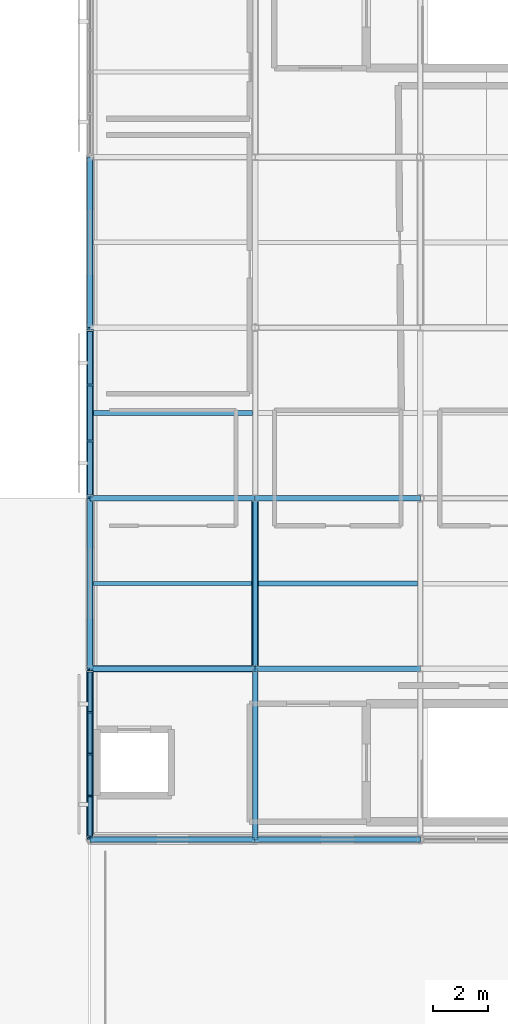
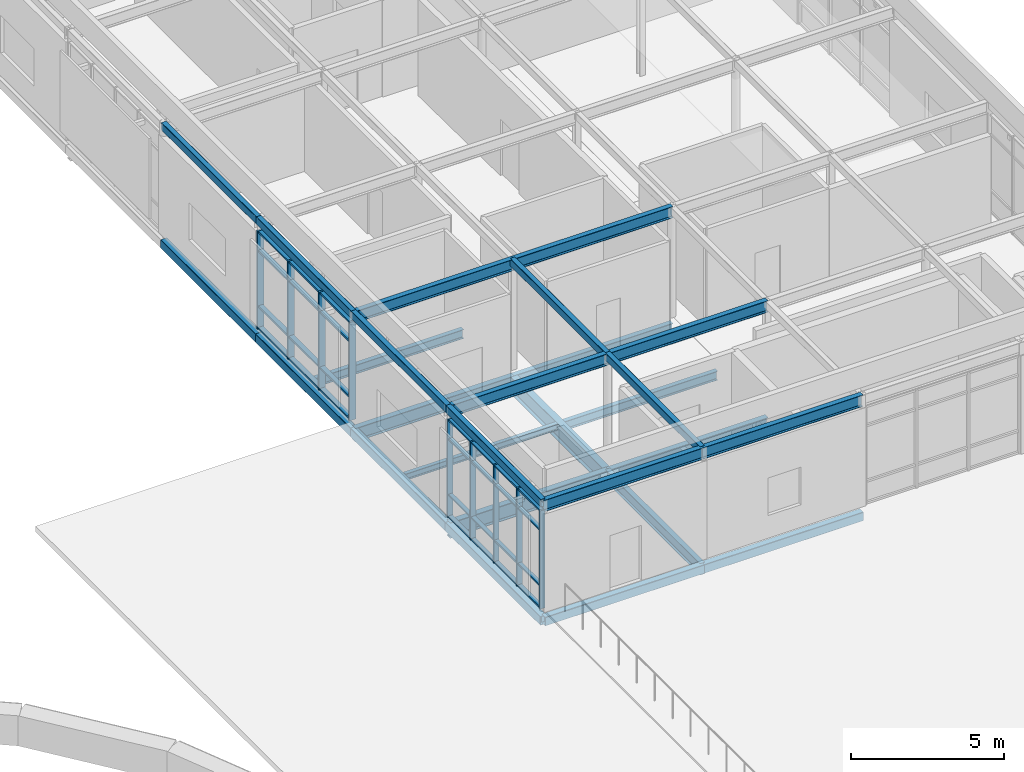
# One storey, part 6 of 16: 37 members, 27 beams, 2 elements without a shape of their own.
"""IFC4 building model written with IfcOpenShell, lengths in metres."""

from ifc_helpers import new_model, si_unit, direction, frame, origin, origin_2d, place, context, subcontext, project, spatial, rectangle, hollow_rectangle, i_section, extrude, material, layer, layer_set, material_profile, profile_set, type_object, element, aggregate, save


model = new_model("IFC4")

# Units and contexts
model_context = context("Model", 3, precision=1e-05, world=origin(), true_north=direction((0.0, 1.0)))
body_context = subcontext(model_context, "Body", "Model", "MODEL_VIEW")
ifc_project = project(units=[si_unit("LENGTHUNIT", "METRE"), si_unit("AREAUNIT", "SQUARE_METRE"), si_unit("VOLUMEUNIT", "CUBIC_METRE"), si_unit("PLANEANGLEUNIT", "RADIAN"), si_unit("MASSUNIT", "GRAM", prefix="KILO")], contexts=[model_context])

# Site, building, storey
site_placement = place(None, origin())
site = spatial("IfcSite", under=ifc_project, at=site_placement, CompositionType="ELEMENT")
building_placement = place(site_placement, origin())
building = spatial("IfcBuilding", under=site, at=building_placement, Name="Mirzam Square Science Centre", CompositionType="ELEMENT")
storey_placement = place(building_placement, frame((0.0, 0.0, 25.199951171875)))
storey = spatial("IfcBuildingStorey", under=building, at=storey_placement, Name="L05", CompositionType="ELEMENT", Elevation=25.199951171875)

# Beams
ifc_material_1 = material(Name="Steel S355", Category="steel")
ifc_material_profile_1 = material_profile(ifc_material_1, i_section(OverallWidth=0.19140625, OverallDepth=0.4599609375, WebThickness=0.010009765625, FlangeThickness=0.01611328125, FilletRadius=0.01025390625, at=origin_2d()), Name="457x191x82UB")
ifc_profile_set_1 = profile_set([ifc_material_profile_1], Name="Steel S355")
beam_type_1 = type_object("IfcBeamType", Name="BM-UB457", PredefinedType="BEAM", material=ifc_profile_set_1)
beam_1_placement = place(storey_placement, frame((120.0, 86.800048828125, -0.47998046875), z_axis=(1.0, 0.0, 0.0), x_axis=(0.0, 1.0, 0.0)))
element("IfcBeam", 1, at=beam_1_placement, inside=storey, type_object=beam_type_1, Name="L05 girder X21-15", PredefinedType="BEAM", context=body_context, shape_type="SweptSolid", body=[
    extrude(i_section(OverallWidth=0.19140625, OverallDepth=0.4599609375, WebThickness=0.010009765625, FlangeThickness=0.01611328125, FilletRadius=0.01025390625, at=origin_2d()), origin(), (0.0, 0.0, 1.0), 6.0),
])
beam_2_placement = place(storey_placement, frame((120.0, 74.39990234375, -0.47998046875), z_axis=(0.0, 1.0, 0.0), x_axis=(-1.0, 0.0, 0.0)))
element("IfcBeam", 2, at=beam_2_placement, inside=storey, type_object=beam_type_1, Name="L05 girder Y21-13", PredefinedType="BEAM", context=body_context, shape_type="SweptSolid", body=[
    extrude(i_section(OverallWidth=0.19140625, OverallDepth=0.4599609375, WebThickness=0.010009765625, FlangeThickness=0.01611328125, FilletRadius=0.01025390625, at=origin_2d()), origin(), (0.0, 0.0, 1.0), 6.2001953125),
])
for number, where, z_axis, x_axis, name in (
    (3, (114.0, 74.39990234375, 4.179931640625), (1.0, 0.0, 0.0), (0.0, 1.0, 0.0), "Observatory roof beam 20-13"),
    (4, (120.0, 74.39990234375, 4.179931640625), (1.0, 0.0, 0.0), (0.0, 1.0, 0.0), "Observatory roof beam 21-13"),
    (5, (114.0, 80.60009765625, 4.179931640625), (1.0, 0.0, 0.0), (0.0, 1.0, 0.0), "Observatory roof beam 20-14"),
    (6, (120.0, 80.60009765625, 4.179931640625), (1.0, 0.0, 0.0), (0.0, 1.0, 0.0), "Observatory roof beam 21-14"),
    (7, (114.0, 86.800048828125, 4.179931640625), (1.0, 0.0, 0.0), (0.0, 1.0, 0.0), "Observatory roof beam 20-15"),
    (8, (120.0, 86.800048828125, 4.179931640625), (1.0, 0.0, 0.0), (0.0, 1.0, 0.0), "Observatory roof beam 21-15"),
):
    element("IfcBeam", number, at=place(storey_placement, frame(where, z_axis=z_axis, x_axis=x_axis)), inside=storey, type_object=beam_type_1, Name=name, PredefinedType="BEAM", context=body_context, shape_type="SweptSolid", body=[
        extrude(i_section(OverallWidth=0.19140625, OverallDepth=0.4599609375, WebThickness=0.010009765625, FlangeThickness=0.01611328125, FilletRadius=0.01025390625, at=origin_2d()), origin(), (0.0, 0.0, 1.0), 6.0),
    ])
ifc_material_profile_2 = material_profile(ifc_material_1, i_section(OverallWidth=0.2099609375, OverallDepth=0.53662109375, WebThickness=0.0107421875, FlangeThickness=0.017333984375, FilletRadius=0.0126953125, at=origin_2d()), Name="533x210x101UB")
ifc_profile_set_2 = profile_set([ifc_material_profile_2], Name="Steel S355")
beam_type_2 = type_object("IfcBeamType", Name="BM-UB533", PredefinedType="BEAM", material=ifc_profile_set_2)
for number, where, z_axis, x_axis, name in (
    (9, (120.0, 80.60009765625, -0.518310546875), (1.0, 0.0, 0.0), (0.0, 1.0, 0.0), "L05 girder X21-14"),
    (10, (114.0, 86.800048828125, -0.518310546875), (1.0, 0.0, 0.0), (0.0, 1.0, 0.0), "L05 girder X20-15"),
):
    element("IfcBeam", number, at=place(storey_placement, frame(where, z_axis=z_axis, x_axis=x_axis)), inside=storey, type_object=beam_type_2, Name=name, PredefinedType="BEAM", context=body_context, shape_type="SweptSolid", body=[
        extrude(i_section(OverallWidth=0.2099609375, OverallDepth=0.53662109375, WebThickness=0.0107421875, FlangeThickness=0.017333984375, FilletRadius=0.0126953125, at=origin_2d()), origin(), (0.0, 0.0, 1.0), 6.0),
    ])
ifc_material_profile_3 = material_profile(ifc_material_1, i_section(OverallWidth=0.22900390625, OverallDepth=0.6123046875, WebThickness=0.011962890625, FlangeThickness=0.01953125, FilletRadius=0.0126953125, at=origin_2d()), Name="610x229x125UB")
ifc_profile_set_3 = profile_set([ifc_material_profile_3], Name="Steel S355")
beam_type_3 = type_object("IfcBeamType", Name="BM-UB610", PredefinedType="BEAM", material=ifc_profile_set_3)
beam_3_placement = place(storey_placement, frame((114.0, 80.60009765625, -0.55615234375), z_axis=(1.0, 0.0, 0.0), x_axis=(0.0, 1.0, 0.0)))
element("IfcBeam", 11, at=beam_3_placement, inside=storey, type_object=beam_type_3, Name="L05 girder X20-14", PredefinedType="BEAM", context=body_context, shape_type="SweptSolid", body=[
    extrude(i_section(OverallWidth=0.22900390625, OverallDepth=0.6123046875, WebThickness=0.011962890625, FlangeThickness=0.01953125, FilletRadius=0.0126953125, at=origin_2d()), origin(), (0.0, 0.0, 1.0), 6.0),
])
ifc_material_profile_4 = material_profile(ifc_material_1, i_section(OverallWidth=0.25439453125, OverallDepth=0.6875, WebThickness=0.01318359375, FlangeThickness=0.02099609375, FilletRadius=0.01513671875, at=origin_2d()), Name="686x254x152UB")
ifc_profile_set_4 = profile_set([ifc_material_profile_4], Name="Steel S355")
beam_type_4 = type_object("IfcBeamType", Name="BM-UB686", PredefinedType="BEAM", material=ifc_profile_set_4)
beam_4_placement = place(storey_placement, frame((120.0, 80.60009765625, -0.59375), z_axis=(0.0, 1.0, 0.0), x_axis=(-1.0, 0.0, 0.0)))
element("IfcBeam", 12, at=beam_4_placement, inside=storey, type_object=beam_type_4, Name="L05 girder Y21-14", PredefinedType="BEAM", context=body_context, shape_type="SweptSolid", body=[
    extrude(i_section(OverallWidth=0.25439453125, OverallDepth=0.6875, WebThickness=0.01318359375, FlangeThickness=0.02099609375, FilletRadius=0.01513671875, at=origin_2d()), origin(), (0.0, 0.0, 1.0), 6.199951171875),
])

# Curtain wall, members
ifc_material_2 = material(Name="Anodised Aluminium and Low-E Solar Glass", Category="aluminium")
ifc_layer_1 = layer(ifc_material_2, 0.179931640625)
ifc_layer_set_1 = layer_set([ifc_layer_1], Name="CW-LINK-A")
curtain_wall_type_1 = type_object("IfcCurtainWallType", Name="CW-LINK-A", PredefinedType="USERDEFINED", material=ifc_layer_set_1)
curtain_wall_1_placement = place(storey_placement, origin())
curtain_wall_1 = element("IfcCurtainWall", 13, at=curtain_wall_1_placement, inside=storey, type_object=curtain_wall_type_1, Name="L05 unitised curtain wall 173", ObjectType="UNITISED CURTAIN WALL", PredefinedType="USERDEFINED")
ifc_material_3 = material(Name="Anodised Architectural Aluminium 6063-T6", Category="aluminium")
ifc_material_profile_5 = material_profile(ifc_material_3, rectangle(XDim=0.06494140625, YDim=0.199951171875, at=origin_2d()), Name="ALU-MULL-200x65x5")
ifc_profile_set_5 = profile_set([ifc_material_profile_5], Name="Anodised Architectural Aluminium 6063-T6")
member_type_1 = type_object("IfcMemberType", Name="CWM-200", PredefinedType="MULLION", material=ifc_profile_set_5)
member_1_placement = place(storey_placement, frame((114.0, 80.512451171875, 0.0), z_axis=(0.0, 0.0, 1.0), x_axis=(0.0, -1.0, 0.0)))
member_1 = element("IfcMember", 14, at=member_1_placement, type_object=member_type_1, Name="CW-08 mullion 1", PredefinedType="MULLION", context=body_context, shape_type="SweptSolid", body=[
    extrude(rectangle(XDim=0.06494140625, YDim=0.199951171875, at=origin_2d()), origin(), (0.0, 0.0, 1.0), 3.920166015625),
])
member_2_placement = place(storey_placement, frame((114.0, 79.0224609375, 0.0), z_axis=(0.0, 0.0, 1.0), x_axis=(0.0, -1.0, 0.0)))
member_2 = element("IfcMember", 15, at=member_2_placement, type_object=member_type_1, Name="CW-08 mullion 2", PredefinedType="MULLION", context=body_context, shape_type="SweptSolid", body=[
    extrude(rectangle(XDim=0.06494140625, YDim=0.199951171875, at=origin_2d()), origin(), (0.0, 0.0, 1.0), 3.920166015625),
])
member_3_placement = place(storey_placement, frame((114.0, 77.5, 0.0), z_axis=(0.0, 0.0, 1.0), x_axis=(0.0, -1.0, 0.0)))
member_3 = element("IfcMember", 16, at=member_3_placement, type_object=member_type_1, Name="CW-08 mullion 3", PredefinedType="MULLION", context=body_context, shape_type="SweptSolid", body=[
    extrude(rectangle(XDim=0.06494140625, YDim=0.199951171875, at=origin_2d()), origin(), (0.0, 0.0, 1.0), 3.920166015625),
])
member_4_placement = place(storey_placement, frame((114.0, 75.9775390625, 0.0), z_axis=(0.0, 0.0, 1.0), x_axis=(0.0, -1.0, 0.0)))
member_4 = element("IfcMember", 17, at=member_4_placement, type_object=member_type_1, Name="CW-08 mullion 4", PredefinedType="MULLION", context=body_context, shape_type="SweptSolid", body=[
    extrude(rectangle(XDim=0.06494140625, YDim=0.199951171875, at=origin_2d()), origin(), (0.0, 0.0, 1.0), 3.920166015625),
])
member_5_placement = place(storey_placement, frame((114.0, 74.487548828125, 0.0), z_axis=(0.0, 0.0, 1.0), x_axis=(0.0, -1.0, 0.0)))
member_5 = element("IfcMember", 18, at=member_5_placement, type_object=member_type_1, Name="CW-08 mullion 5", PredefinedType="MULLION", context=body_context, shape_type="SweptSolid", body=[
    extrude(rectangle(XDim=0.06494140625, YDim=0.199951171875, at=origin_2d()), origin(), (0.0, 0.0, 1.0), 3.920166015625),
])

ifc_layer_2 = layer(ifc_material_2, 0.239990234375)
ifc_layer_set_2 = layer_set([ifc_layer_2], Name="CW-EAST-B")
curtain_wall_type_2 = type_object("IfcCurtainWallType", Name="CW-EAST-B", PredefinedType="USERDEFINED", material=ifc_layer_set_2)
curtain_wall_2_placement = place(storey_placement, origin())
curtain_wall_2 = element("IfcCurtainWall", 19, at=curtain_wall_2_placement, inside=storey, type_object=curtain_wall_type_2, Name="L05 unitised curtain wall 172", ObjectType="UNITISED CURTAIN WALL", PredefinedType="USERDEFINED")
ifc_material_profile_6 = material_profile(ifc_material_3, rectangle(XDim=0.074951171875, YDim=0.239990234375, at=origin_2d()), Name="ALU-MULL-240x75x5")
ifc_profile_set_6 = profile_set([ifc_material_profile_6], Name="Anodised Architectural Aluminium 6063-T6")
member_type_2 = type_object("IfcMemberType", Name="CWM-240", PredefinedType="MULLION", material=ifc_profile_set_6)
member_6_placement = place(storey_placement, frame((114.0, 92.907470703125, 0.0), z_axis=(0.0, 0.0, 1.0), x_axis=(0.0, -1.0, 0.0)))
member_6 = element("IfcMember", 20, at=member_6_placement, type_object=member_type_2, Name="CW-06 mullion 1", PredefinedType="MULLION", context=body_context, shape_type="SweptSolid", body=[
    extrude(rectangle(XDim=0.074951171875, YDim=0.239990234375, at=origin_2d()), origin(), (0.0, 0.0, 1.0), 3.920166015625),
])
member_7_placement = place(storey_placement, frame((114.0, 90.9150390625, 0.0), z_axis=(0.0, 0.0, 1.0), x_axis=(0.0, -1.0, 0.0)))
member_7 = element("IfcMember", 21, at=member_7_placement, type_object=member_type_2, Name="CW-06 mullion 2", PredefinedType="MULLION", context=body_context, shape_type="SweptSolid", body=[
    extrude(rectangle(XDim=0.074951171875, YDim=0.239990234375, at=origin_2d()), origin(), (0.0, 0.0, 1.0), 3.920166015625),
])
member_8_placement = place(storey_placement, frame((114.0, 88.885009765625, 0.0), z_axis=(0.0, 0.0, 1.0), x_axis=(0.0, -1.0, 0.0)))
member_8 = element("IfcMember", 22, at=member_8_placement, type_object=member_type_2, Name="CW-06 mullion 3", PredefinedType="MULLION", context=body_context, shape_type="SweptSolid", body=[
    extrude(rectangle(XDim=0.074951171875, YDim=0.239990234375, at=origin_2d()), origin(), (0.0, 0.0, 1.0), 3.920166015625),
])
member_9_placement = place(storey_placement, frame((114.0, 86.892578125, 0.0), z_axis=(0.0, 0.0, 1.0), x_axis=(0.0, -1.0, 0.0)))
member_9 = element("IfcMember", 23, at=member_9_placement, type_object=member_type_2, Name="CW-06 mullion 4", PredefinedType="MULLION", context=body_context, shape_type="SweptSolid", body=[
    extrude(rectangle(XDim=0.074951171875, YDim=0.239990234375, at=origin_2d()), origin(), (0.0, 0.0, 1.0), 3.920166015625),
])

# Member
ifc_material_profile_7 = material_profile(ifc_material_3, rectangle(XDim=0.14990234375, YDim=0.06494140625, at=origin_2d()), Name="ALU-TRAN-150x65x4")
ifc_profile_set_7 = profile_set([ifc_material_profile_7], Name="Anodised Architectural Aluminium 6063-T6")
member_type_3 = type_object("IfcMemberType", Name="CWT-150", PredefinedType="USERDEFINED", material=ifc_profile_set_7)
member_10_placement = place(storey_placement, frame((114.0, 80.47998046875, 0.032470703125), z_axis=(0.0, -1.0, 0.0), x_axis=(1.0, 0.0, 0.0)))
member_10 = element("IfcMember", 24, at=member_10_placement, type_object=member_type_3, Name="CW-08 transom 1.1", ObjectType="TRANSOM", PredefinedType="USERDEFINED", context=body_context, shape_type="SweptSolid", body=[
    extrude(rectangle(XDim=0.14990234375, YDim=0.06494140625, at=origin_2d()), origin(), (0.0, 0.0, 1.0), 1.425048828125),
])

member_11_placement = place(storey_placement, frame((114.0, 80.47998046875, 0.900146484375), z_axis=(0.0, -1.0, 0.0), x_axis=(1.0, 0.0, 0.0)))
member_11 = element("IfcMember", 25, at=member_11_placement, type_object=member_type_3, Name="CW-08 transom 1.2", ObjectType="TRANSOM", PredefinedType="USERDEFINED", context=body_context, shape_type="SweptSolid", body=[
    extrude(rectangle(XDim=0.14990234375, YDim=0.06494140625, at=origin_2d()), origin(), (0.0, 0.0, 1.0), 1.425048828125),
])

member_12_placement = place(storey_placement, frame((114.0, 80.47998046875, 3.1201171875), z_axis=(0.0, -1.0, 0.0), x_axis=(1.0, 0.0, 0.0)))
member_12 = element("IfcMember", 26, at=member_12_placement, type_object=member_type_3, Name="CW-08 transom 1.3", ObjectType="TRANSOM", PredefinedType="USERDEFINED", context=body_context, shape_type="SweptSolid", body=[
    extrude(rectangle(XDim=0.14990234375, YDim=0.06494140625, at=origin_2d()), origin(), (0.0, 0.0, 1.0), 1.425048828125),
])

member_13_placement = place(storey_placement, frame((114.0, 80.47998046875, 3.887451171875), z_axis=(0.0, -1.0, 0.0), x_axis=(1.0, 0.0, 0.0)))
member_13 = element("IfcMember", 27, at=member_13_placement, type_object=member_type_3, Name="CW-08 transom 1.4", ObjectType="TRANSOM", PredefinedType="USERDEFINED", context=body_context, shape_type="SweptSolid", body=[
    extrude(rectangle(XDim=0.14990234375, YDim=0.06494140625, at=origin_2d()), origin(), (0.0, 0.0, 1.0), 1.425048828125),
])

member_14_placement = place(storey_placement, frame((114.0, 78.989990234375, 0.032470703125), z_axis=(0.0, -1.0, 0.0), x_axis=(1.0, 0.0, 0.0)))
member_14 = element("IfcMember", 28, at=member_14_placement, type_object=member_type_3, Name="CW-08 transom 2.1", ObjectType="TRANSOM", PredefinedType="USERDEFINED", context=body_context, shape_type="SweptSolid", body=[
    extrude(rectangle(XDim=0.14990234375, YDim=0.06494140625, at=origin_2d()), origin(), (0.0, 0.0, 1.0), 1.45751953125),
])

member_15_placement = place(storey_placement, frame((114.0, 78.989990234375, 0.900146484375), z_axis=(0.0, -1.0, 0.0), x_axis=(1.0, 0.0, 0.0)))
member_15 = element("IfcMember", 29, at=member_15_placement, type_object=member_type_3, Name="CW-08 transom 2.2", ObjectType="TRANSOM", PredefinedType="USERDEFINED", context=body_context, shape_type="SweptSolid", body=[
    extrude(rectangle(XDim=0.14990234375, YDim=0.06494140625, at=origin_2d()), origin(), (0.0, 0.0, 1.0), 1.45751953125),
])

member_16_placement = place(storey_placement, frame((114.0, 78.989990234375, 3.1201171875), z_axis=(0.0, -1.0, 0.0), x_axis=(1.0, 0.0, 0.0)))
member_16 = element("IfcMember", 30, at=member_16_placement, type_object=member_type_3, Name="CW-08 transom 2.3", ObjectType="TRANSOM", PredefinedType="USERDEFINED", context=body_context, shape_type="SweptSolid", body=[
    extrude(rectangle(XDim=0.14990234375, YDim=0.06494140625, at=origin_2d()), origin(), (0.0, 0.0, 1.0), 1.45751953125),
])

member_17_placement = place(storey_placement, frame((114.0, 78.989990234375, 3.887451171875), z_axis=(0.0, -1.0, 0.0), x_axis=(1.0, 0.0, 0.0)))
member_17 = element("IfcMember", 31, at=member_17_placement, type_object=member_type_3, Name="CW-08 transom 2.4", ObjectType="TRANSOM", PredefinedType="USERDEFINED", context=body_context, shape_type="SweptSolid", body=[
    extrude(rectangle(XDim=0.14990234375, YDim=0.06494140625, at=origin_2d()), origin(), (0.0, 0.0, 1.0), 1.45751953125),
])

member_18_placement = place(storey_placement, frame((114.0, 77.467529296875, 0.032470703125), z_axis=(0.0, -1.0, 0.0), x_axis=(1.0, 0.0, 0.0)))
member_18 = element("IfcMember", 32, at=member_18_placement, type_object=member_type_3, Name="CW-08 transom 3.1", ObjectType="TRANSOM", PredefinedType="USERDEFINED", context=body_context, shape_type="SweptSolid", body=[
    extrude(rectangle(XDim=0.14990234375, YDim=0.06494140625, at=origin_2d()), origin(), (0.0, 0.0, 1.0), 1.45751953125),
])

member_19_placement = place(storey_placement, frame((114.0, 77.467529296875, 0.900146484375), z_axis=(0.0, -1.0, 0.0), x_axis=(1.0, 0.0, 0.0)))
member_19 = element("IfcMember", 33, at=member_19_placement, type_object=member_type_3, Name="CW-08 transom 3.2", ObjectType="TRANSOM", PredefinedType="USERDEFINED", context=body_context, shape_type="SweptSolid", body=[
    extrude(rectangle(XDim=0.14990234375, YDim=0.06494140625, at=origin_2d()), origin(), (0.0, 0.0, 1.0), 1.45751953125),
])

member_20_placement = place(storey_placement, frame((114.0, 77.467529296875, 3.1201171875), z_axis=(0.0, -1.0, 0.0), x_axis=(1.0, 0.0, 0.0)))
member_20 = element("IfcMember", 34, at=member_20_placement, type_object=member_type_3, Name="CW-08 transom 3.3", ObjectType="TRANSOM", PredefinedType="USERDEFINED", context=body_context, shape_type="SweptSolid", body=[
    extrude(rectangle(XDim=0.14990234375, YDim=0.06494140625, at=origin_2d()), origin(), (0.0, 0.0, 1.0), 1.45751953125),
])

member_21_placement = place(storey_placement, frame((114.0, 77.467529296875, 3.887451171875), z_axis=(0.0, -1.0, 0.0), x_axis=(1.0, 0.0, 0.0)))
member_21 = element("IfcMember", 35, at=member_21_placement, type_object=member_type_3, Name="CW-08 transom 3.4", ObjectType="TRANSOM", PredefinedType="USERDEFINED", context=body_context, shape_type="SweptSolid", body=[
    extrude(rectangle(XDim=0.14990234375, YDim=0.06494140625, at=origin_2d()), origin(), (0.0, 0.0, 1.0), 1.45751953125),
])

member_22_placement = place(storey_placement, frame((114.0, 75.945068359375, 0.032470703125), z_axis=(0.0, -1.0, 0.0), x_axis=(1.0, 0.0, 0.0)))
member_22 = element("IfcMember", 36, at=member_22_placement, type_object=member_type_3, Name="CW-08 transom 4.1", ObjectType="TRANSOM", PredefinedType="USERDEFINED", context=body_context, shape_type="SweptSolid", body=[
    extrude(rectangle(XDim=0.14990234375, YDim=0.06494140625, at=origin_2d()), origin(), (0.0, 0.0, 1.0), 1.425048828125),
])

member_23_placement = place(storey_placement, frame((114.0, 75.945068359375, 0.900146484375), z_axis=(0.0, -1.0, 0.0), x_axis=(1.0, 0.0, 0.0)))
member_23 = element("IfcMember", 37, at=member_23_placement, type_object=member_type_3, Name="CW-08 transom 4.2", ObjectType="TRANSOM", PredefinedType="USERDEFINED", context=body_context, shape_type="SweptSolid", body=[
    extrude(rectangle(XDim=0.14990234375, YDim=0.06494140625, at=origin_2d()), origin(), (0.0, 0.0, 1.0), 1.425048828125),
])

member_24_placement = place(storey_placement, frame((114.0, 75.945068359375, 3.1201171875), z_axis=(0.0, -1.0, 0.0), x_axis=(1.0, 0.0, 0.0)))
member_24 = element("IfcMember", 38, at=member_24_placement, type_object=member_type_3, Name="CW-08 transom 4.3", ObjectType="TRANSOM", PredefinedType="USERDEFINED", context=body_context, shape_type="SweptSolid", body=[
    extrude(rectangle(XDim=0.14990234375, YDim=0.06494140625, at=origin_2d()), origin(), (0.0, 0.0, 1.0), 1.425048828125),
])

member_25_placement = place(storey_placement, frame((114.0, 75.945068359375, 3.887451171875), z_axis=(0.0, -1.0, 0.0), x_axis=(1.0, 0.0, 0.0)))
member_25 = element("IfcMember", 39, at=member_25_placement, type_object=member_type_3, Name="CW-08 transom 4.4", ObjectType="TRANSOM", PredefinedType="USERDEFINED", context=body_context, shape_type="SweptSolid", body=[
    extrude(rectangle(XDim=0.14990234375, YDim=0.06494140625, at=origin_2d()), origin(), (0.0, 0.0, 1.0), 1.425048828125),
])

aggregate(curtain_wall_1, [member_1, member_2, member_3, member_4, member_5, member_10, member_11, member_12, member_13, member_14, member_15, member_16, member_17, member_18, member_19, member_20, member_21, member_22, member_23, member_24, member_25])

ifc_material_profile_8 = material_profile(ifc_material_3, rectangle(XDim=0.179931640625, YDim=0.074951171875, at=origin_2d()), Name="ALU-TRAN-180x75x5")
ifc_profile_set_8 = profile_set([ifc_material_profile_8], Name="Anodised Architectural Aluminium 6063-T6")
member_type_4 = type_object("IfcMemberType", Name="CWT-180", PredefinedType="USERDEFINED", material=ifc_profile_set_8)
member_26_placement = place(storey_placement, frame((114.0, 92.8701171875, 0.03759765625), z_axis=(0.0, -1.0, 0.0), x_axis=(1.0, 0.0, 0.0)))
member_26 = element("IfcMember", 40, at=member_26_placement, type_object=member_type_4, Name="CW-06 transom 1.1", ObjectType="TRANSOM", PredefinedType="USERDEFINED", context=body_context, shape_type="SweptSolid", body=[
    extrude(rectangle(XDim=0.179931640625, YDim=0.074951171875, at=origin_2d()), origin(), (0.0, 0.0, 1.0), 1.917724609375),
])

member_27_placement = place(storey_placement, frame((114.0, 92.8701171875, 0.900146484375), z_axis=(0.0, -1.0, 0.0), x_axis=(1.0, 0.0, 0.0)))
member_27 = element("IfcMember", 41, at=member_27_placement, type_object=member_type_4, Name="CW-06 transom 1.2", ObjectType="TRANSOM", PredefinedType="USERDEFINED", context=body_context, shape_type="SweptSolid", body=[
    extrude(rectangle(XDim=0.179931640625, YDim=0.074951171875, at=origin_2d()), origin(), (0.0, 0.0, 1.0), 1.917724609375),
])

member_28_placement = place(storey_placement, frame((114.0, 92.8701171875, 3.1201171875), z_axis=(0.0, -1.0, 0.0), x_axis=(1.0, 0.0, 0.0)))
member_28 = element("IfcMember", 42, at=member_28_placement, type_object=member_type_4, Name="CW-06 transom 1.3", ObjectType="TRANSOM", PredefinedType="USERDEFINED", context=body_context, shape_type="SweptSolid", body=[
    extrude(rectangle(XDim=0.179931640625, YDim=0.074951171875, at=origin_2d()), origin(), (0.0, 0.0, 1.0), 1.917724609375),
])

member_29_placement = place(storey_placement, frame((114.0, 92.8701171875, 3.882568359375), z_axis=(0.0, -1.0, 0.0), x_axis=(1.0, 0.0, 0.0)))
member_29 = element("IfcMember", 43, at=member_29_placement, type_object=member_type_4, Name="CW-06 transom 1.4", ObjectType="TRANSOM", PredefinedType="USERDEFINED", context=body_context, shape_type="SweptSolid", body=[
    extrude(rectangle(XDim=0.179931640625, YDim=0.074951171875, at=origin_2d()), origin(), (0.0, 0.0, 1.0), 1.917724609375),
])

member_30_placement = place(storey_placement, frame((114.0, 90.87744140625, 0.03759765625), z_axis=(0.0, -1.0, 0.0), x_axis=(1.0, 0.0, 0.0)))
member_30 = element("IfcMember", 44, at=member_30_placement, type_object=member_type_4, Name="CW-06 transom 2.1", ObjectType="TRANSOM", PredefinedType="USERDEFINED", context=body_context, shape_type="SweptSolid", body=[
    extrude(rectangle(XDim=0.179931640625, YDim=0.074951171875, at=origin_2d()), origin(), (0.0, 0.0, 1.0), 1.954833984375),
])

member_31_placement = place(storey_placement, frame((114.0, 90.87744140625, 0.900146484375), z_axis=(0.0, -1.0, 0.0), x_axis=(1.0, 0.0, 0.0)))
member_31 = element("IfcMember", 45, at=member_31_placement, type_object=member_type_4, Name="CW-06 transom 2.2", ObjectType="TRANSOM", PredefinedType="USERDEFINED", context=body_context, shape_type="SweptSolid", body=[
    extrude(rectangle(XDim=0.179931640625, YDim=0.074951171875, at=origin_2d()), origin(), (0.0, 0.0, 1.0), 1.954833984375),
])

member_32_placement = place(storey_placement, frame((114.0, 90.87744140625, 3.1201171875), z_axis=(0.0, -1.0, 0.0), x_axis=(1.0, 0.0, 0.0)))
member_32 = element("IfcMember", 46, at=member_32_placement, type_object=member_type_4, Name="CW-06 transom 2.3", ObjectType="TRANSOM", PredefinedType="USERDEFINED", context=body_context, shape_type="SweptSolid", body=[
    extrude(rectangle(XDim=0.179931640625, YDim=0.074951171875, at=origin_2d()), origin(), (0.0, 0.0, 1.0), 1.954833984375),
])

member_33_placement = place(storey_placement, frame((114.0, 90.87744140625, 3.882568359375), z_axis=(0.0, -1.0, 0.0), x_axis=(1.0, 0.0, 0.0)))
member_33 = element("IfcMember", 47, at=member_33_placement, type_object=member_type_4, Name="CW-06 transom 2.4", ObjectType="TRANSOM", PredefinedType="USERDEFINED", context=body_context, shape_type="SweptSolid", body=[
    extrude(rectangle(XDim=0.179931640625, YDim=0.074951171875, at=origin_2d()), origin(), (0.0, 0.0, 1.0), 1.954833984375),
])

member_34_placement = place(storey_placement, frame((114.0, 88.847412109375, 0.03759765625), z_axis=(0.0, -1.0, 0.0), x_axis=(1.0, 0.0, 0.0)))
member_34 = element("IfcMember", 48, at=member_34_placement, type_object=member_type_4, Name="CW-06 transom 3.1", ObjectType="TRANSOM", PredefinedType="USERDEFINED", context=body_context, shape_type="SweptSolid", body=[
    extrude(rectangle(XDim=0.179931640625, YDim=0.074951171875, at=origin_2d()), origin(), (0.0, 0.0, 1.0), 1.91748046875),
])

member_35_placement = place(storey_placement, frame((114.0, 88.847412109375, 0.900146484375), z_axis=(0.0, -1.0, 0.0), x_axis=(1.0, 0.0, 0.0)))
member_35 = element("IfcMember", 49, at=member_35_placement, type_object=member_type_4, Name="CW-06 transom 3.2", ObjectType="TRANSOM", PredefinedType="USERDEFINED", context=body_context, shape_type="SweptSolid", body=[
    extrude(rectangle(XDim=0.179931640625, YDim=0.074951171875, at=origin_2d()), origin(), (0.0, 0.0, 1.0), 1.91748046875),
])

member_36_placement = place(storey_placement, frame((114.0, 88.847412109375, 3.1201171875), z_axis=(0.0, -1.0, 0.0), x_axis=(1.0, 0.0, 0.0)))
member_36 = element("IfcMember", 50, at=member_36_placement, type_object=member_type_4, Name="CW-06 transom 3.3", ObjectType="TRANSOM", PredefinedType="USERDEFINED", context=body_context, shape_type="SweptSolid", body=[
    extrude(rectangle(XDim=0.179931640625, YDim=0.074951171875, at=origin_2d()), origin(), (0.0, 0.0, 1.0), 1.91748046875),
])

member_37_placement = place(storey_placement, frame((114.0, 88.847412109375, 3.882568359375), z_axis=(0.0, -1.0, 0.0), x_axis=(1.0, 0.0, 0.0)))
member_37 = element("IfcMember", 51, at=member_37_placement, type_object=member_type_4, Name="CW-06 transom 3.4", ObjectType="TRANSOM", PredefinedType="USERDEFINED", context=body_context, shape_type="SweptSolid", body=[
    extrude(rectangle(XDim=0.179931640625, YDim=0.074951171875, at=origin_2d()), origin(), (0.0, 0.0, 1.0), 1.91748046875),
])

aggregate(curtain_wall_2, [member_6, member_7, member_8, member_9, member_26, member_27, member_28, member_29, member_30, member_31, member_32, member_33, member_34, member_35, member_36, member_37])

# Beams
ifc_material_profile_9 = material_profile(ifc_material_1, i_section(OverallWidth=0.146484375, OverallDepth=0.256103515625, WebThickness=0.00634765625, FlangeThickness=0.010986328125, FilletRadius=0.007568359375, at=origin_2d()), Name="254x146x37UB")
ifc_profile_set_9 = profile_set([ifc_material_profile_9], Name="Steel S355")
beam_type_5 = type_object("IfcBeamType", Name="JS-UB254", PredefinedType="JOIST", material=ifc_profile_set_9)
beam_5_placement = place(storey_placement, frame((114.125, 83.699951171875, -0.3779296875), z_axis=(1.0, 0.0, 0.0), x_axis=(0.0, 1.0, 0.0)))
element("IfcBeam", 52, at=beam_5_placement, inside=storey, type_object=beam_type_5, Name="L05 composite joist 20-14", PredefinedType="JOIST", context=body_context, shape_type="SweptSolid", body=[
    extrude(i_section(OverallWidth=0.146484375, OverallDepth=0.256103515625, WebThickness=0.00634765625, FlangeThickness=0.010986328125, FilletRadius=0.007568359375, at=origin_2d()), origin(), (0.0, 0.0, 1.0), 5.747802734375),
])
ifc_material_profile_10 = material_profile(ifc_material_1, i_section(OverallWidth=0.172119140625, OverallDepth=0.35791015625, WebThickness=0.008056640625, FlangeThickness=0.012939453125, FilletRadius=0.01025390625, at=origin_2d()), Name="356x171x57UB")
ifc_profile_set_10 = profile_set([ifc_material_profile_10], Name="Steel S355")
beam_type_6 = type_object("IfcBeamType", Name="JS-UB356", PredefinedType="JOIST", material=ifc_profile_set_10)
beam_6_placement = place(storey_placement, frame((114.125, 89.89990234375, -0.428955078125), z_axis=(1.0, 0.0, 0.0), x_axis=(0.0, 1.0, 0.0)))
element("IfcBeam", 53, at=beam_6_placement, inside=storey, type_object=beam_type_6, Name="L05 composite joist 20-15", PredefinedType="JOIST", context=body_context, shape_type="SweptSolid", body=[
    extrude(i_section(OverallWidth=0.172119140625, OverallDepth=0.35791015625, WebThickness=0.008056640625, FlangeThickness=0.012939453125, FilletRadius=0.01025390625, at=origin_2d()), origin(), (0.0, 0.0, 1.0), 5.77001953125),
])
beam_7_placement = place(storey_placement, frame((120.127197265625, 83.699951171875, -0.428955078125), z_axis=(1.0, 0.0, 0.0), x_axis=(0.0, 1.0, 0.0)))
element("IfcBeam", 54, at=beam_7_placement, inside=storey, type_object=beam_type_6, Name="L05 composite joist 21-14", PredefinedType="JOIST", context=body_context, shape_type="SweptSolid", body=[
    extrude(i_section(OverallWidth=0.172119140625, OverallDepth=0.35791015625, WebThickness=0.008056640625, FlangeThickness=0.012939453125, FilletRadius=0.01025390625, at=origin_2d()), origin(), (0.0, 0.0, 1.0), 5.767822265625),
])
ifc_material_profile_11 = material_profile(ifc_material_1, hollow_rectangle(XDim=0.199951171875, YDim=0.300048828125, WallThickness=0.010009765625, InnerFilletRadius=0.010009765625, OuterFilletRadius=0.02001953125, at=origin_2d()), Name="300x200x10.0RHS")
ifc_profile_set_11 = profile_set([ifc_material_profile_11], Name="Steel S355")
beam_type_7 = type_object("IfcBeamType", Name="SP-RHS300", PredefinedType="SPANDREL", material=ifc_profile_set_11)
beam_8_placement = place(storey_placement, frame((114.0, 74.39990234375, 4.260009765625), z_axis=(0.0, 1.0, 0.0), x_axis=(-1.0, 0.0, 0.0)))
element("IfcBeam", 55, at=beam_8_placement, inside=storey, type_object=beam_type_7, Name="Observatory roof edge beam 20-13", PredefinedType="SPANDREL", context=body_context, shape_type="SweptSolid", body=[
    extrude(hollow_rectangle(XDim=0.199951171875, YDim=0.300048828125, WallThickness=0.010009765625, InnerFilletRadius=0.010009765625, OuterFilletRadius=0.02001953125, at=origin_2d()), origin(), (0.0, 0.0, 1.0), 6.2001953125),
])
for number, where, z_axis, x_axis, name in (
    (56, (114.0, 80.60009765625, 4.260009765625), (0.0, 1.0, 0.0), (-1.0, 0.0, 0.0), "Observatory roof edge beam 20-14"),
    (57, (114.0, 86.800048828125, 4.260009765625), (0.0, 1.0, 0.0), (-1.0, 0.0, 0.0), "Observatory roof edge beam 20-15"),
    (58, (114.0, 93.0, 4.260009765625), (0.0, 1.0, 0.0), (-1.0, 0.0, 0.0), "Observatory roof edge beam 20-16"),
):
    element("IfcBeam", number, at=place(storey_placement, frame(where, z_axis=z_axis, x_axis=x_axis)), inside=storey, type_object=beam_type_7, Name=name, PredefinedType="SPANDREL", context=body_context, shape_type="SweptSolid", body=[
        extrude(hollow_rectangle(XDim=0.199951171875, YDim=0.300048828125, WallThickness=0.010009765625, InnerFilletRadius=0.010009765625, OuterFilletRadius=0.02001953125, at=origin_2d()), origin(), (0.0, 0.0, 1.0), 6.199951171875),
    ])
beam_9_placement = place(storey_placement, frame((120.0, 74.39990234375, 4.260009765625), z_axis=(0.0, 1.0, 0.0), x_axis=(-1.0, 0.0, 0.0)))
element("IfcBeam", 59, at=beam_9_placement, inside=storey, type_object=beam_type_7, Name="Observatory roof edge beam 21-13", PredefinedType="SPANDREL", context=body_context, shape_type="SweptSolid", body=[
    extrude(hollow_rectangle(XDim=0.199951171875, YDim=0.300048828125, WallThickness=0.010009765625, InnerFilletRadius=0.010009765625, OuterFilletRadius=0.02001953125, at=origin_2d()), origin(), (0.0, 0.0, 1.0), 6.2001953125),
])
beam_10_placement = place(storey_placement, frame((120.0, 80.60009765625, 4.260009765625), z_axis=(0.0, 1.0, 0.0), x_axis=(-1.0, 0.0, 0.0)))
element("IfcBeam", 60, at=beam_10_placement, inside=storey, type_object=beam_type_7, Name="Observatory roof edge beam 21-14", PredefinedType="SPANDREL", context=body_context, shape_type="SweptSolid", body=[
    extrude(hollow_rectangle(XDim=0.199951171875, YDim=0.300048828125, WallThickness=0.010009765625, InnerFilletRadius=0.010009765625, OuterFilletRadius=0.02001953125, at=origin_2d()), origin(), (0.0, 0.0, 1.0), 6.199951171875),
])
ifc_material_profile_12 = material_profile(ifc_material_1, hollow_rectangle(XDim=0.25, YDim=0.35009765625, WallThickness=0.012451171875, InnerFilletRadius=0.012451171875, OuterFilletRadius=0.02490234375, at=origin_2d()), Name="350x250x12.5RHS")
ifc_profile_set_12 = profile_set([ifc_material_profile_12], Name="Steel S355")
beam_type_8 = type_object("IfcBeamType", Name="SP-RHS350", PredefinedType="SPANDREL", material=ifc_profile_set_12)
for number, where, z_axis, x_axis, name in (
    (61, (114.0, 74.39990234375, -0.425048828125), (1.0, 0.0, 0.0), (0.0, 1.0, 0.0), "L05 girder X20-13"),
    (62, (120.0, 74.39990234375, -0.425048828125), (1.0, 0.0, 0.0), (0.0, 1.0, 0.0), "L05 girder X21-13"),
):
    element("IfcBeam", number, at=place(storey_placement, frame(where, z_axis=z_axis, x_axis=x_axis)), inside=storey, type_object=beam_type_8, Name=name, PredefinedType="SPANDREL", context=body_context, shape_type="SweptSolid", body=[
        extrude(hollow_rectangle(XDim=0.25, YDim=0.35009765625, WallThickness=0.012451171875, InnerFilletRadius=0.012451171875, OuterFilletRadius=0.02490234375, at=origin_2d()), origin(), (0.0, 0.0, 1.0), 6.0),
    ])
beam_11_placement = place(storey_placement, frame((114.0, 74.39990234375, -0.425048828125), z_axis=(0.0, 1.0, 0.0), x_axis=(-1.0, 0.0, 0.0)))
element("IfcBeam", 63, at=beam_11_placement, inside=storey, type_object=beam_type_8, Name="L05 girder Y20-13", PredefinedType="SPANDREL", context=body_context, shape_type="SweptSolid", body=[
    extrude(hollow_rectangle(XDim=0.25, YDim=0.35009765625, WallThickness=0.012451171875, InnerFilletRadius=0.012451171875, OuterFilletRadius=0.02490234375, at=origin_2d()), origin(), (0.0, 0.0, 1.0), 6.2001953125),
])
for number, where, z_axis, x_axis, name in (
    (64, (114.0, 80.60009765625, -0.425048828125), (0.0, 1.0, 0.0), (-1.0, 0.0, 0.0), "L05 girder Y20-14"),
    (65, (114.0, 86.800048828125, -0.425048828125), (0.0, 1.0, 0.0), (-1.0, 0.0, 0.0), "L05 girder Y20-15"),
    (66, (114.0, 93.0, -0.425048828125), (0.0, 1.0, 0.0), (-1.0, 0.0, 0.0), "L05 girder Y20-16"),
):
    element("IfcBeam", number, at=place(storey_placement, frame(where, z_axis=z_axis, x_axis=x_axis)), inside=storey, type_object=beam_type_8, Name=name, PredefinedType="SPANDREL", context=body_context, shape_type="SweptSolid", body=[
        extrude(hollow_rectangle(XDim=0.25, YDim=0.35009765625, WallThickness=0.012451171875, InnerFilletRadius=0.012451171875, OuterFilletRadius=0.02490234375, at=origin_2d()), origin(), (0.0, 0.0, 1.0), 6.199951171875),
    ])

save(model, "model.ifc")
